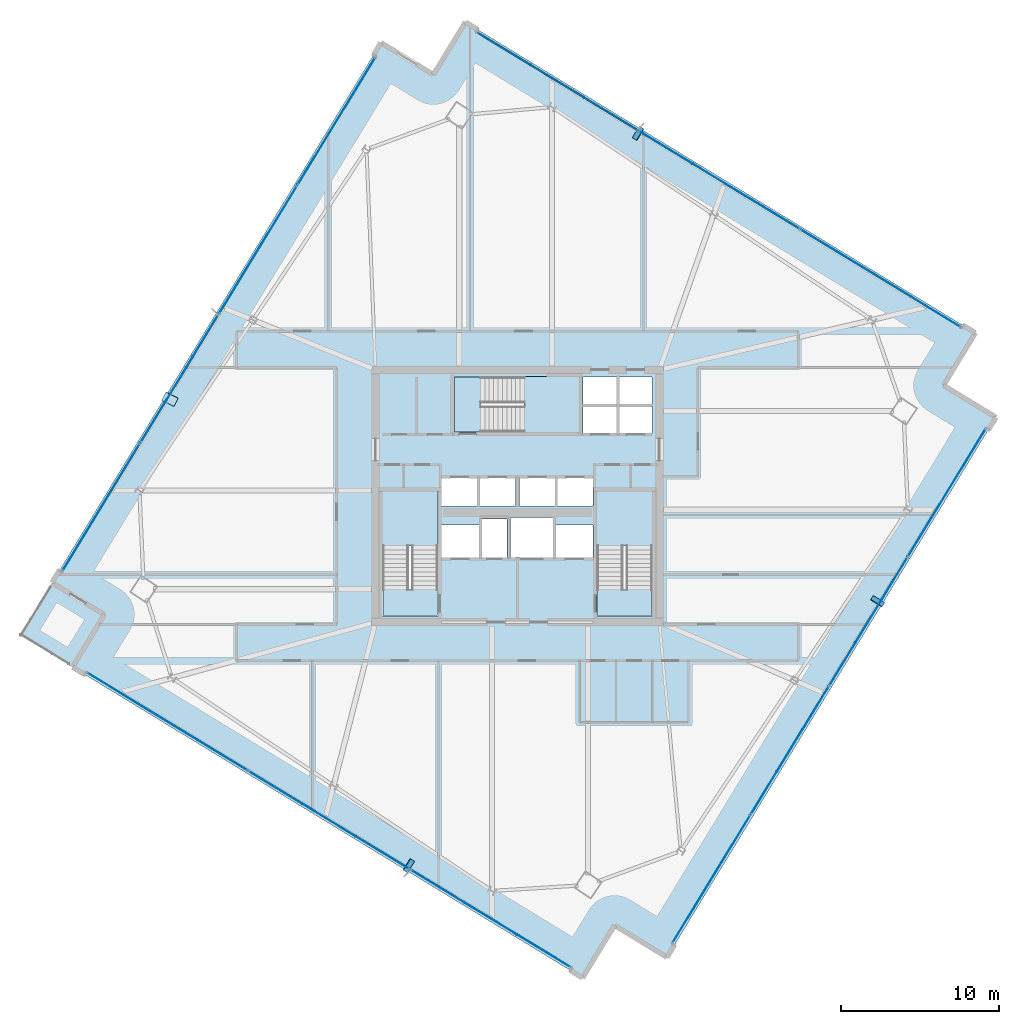
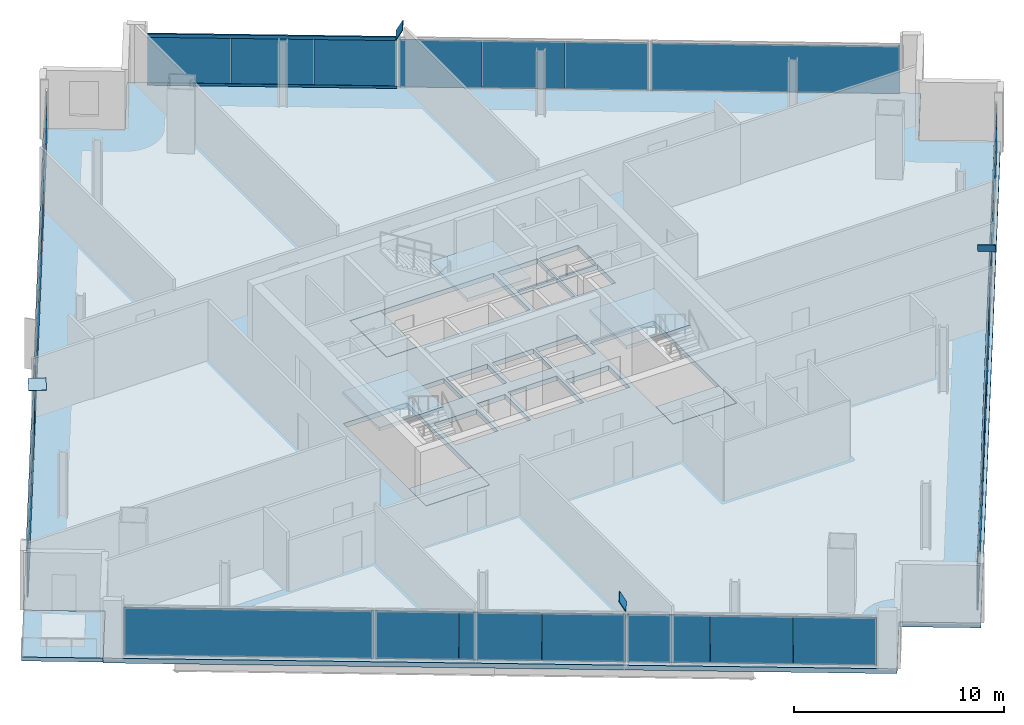
# One storey, part 20 of 28: 32 plates, 8 slabs, 2 members, 7 elements without a shape of their own.
"""IFC4 building model written with IfcOpenShell, lengths in metres."""

from ifc_helpers import new_model, si_unit, direction, frame, origin, origin_2d, place, context, subcontext, project, spatial, polyline, rectangle, hollow_rectangle, outline, extrude, source, transform, mapped, material, layer, layer_set, material_profile, profile_set, type_object, element, aggregate, save


model = new_model("IFC4")

# Units and contexts
model_context = context("Model", 3, precision=1e-05, world=origin(), true_north=direction((0.0, 1.0)))
body_context = subcontext(model_context, "Body", "Model", "MODEL_VIEW")
ifc_project = project(units=[si_unit("LENGTHUNIT", "METRE"), si_unit("AREAUNIT", "SQUARE_METRE"), si_unit("VOLUMEUNIT", "CUBIC_METRE"), si_unit("PLANEANGLEUNIT", "RADIAN"), si_unit("MASSUNIT", "GRAM", prefix="KILO")], contexts=[model_context])

# Site, building, storey
site_placement = place(None, origin())
site = spatial("IfcSite", under=ifc_project, at=site_placement, CompositionType="ELEMENT")
building_placement = place(site_placement, origin())
building = spatial("IfcBuilding", under=site, at=building_placement, Name="Haldenkirk Collegiate Tower", CompositionType="ELEMENT")
storey_placement = place(building_placement, frame((0.0, 0.0, 224.699951171875)))
storey = spatial("IfcBuildingStorey", under=building, at=storey_placement, Name="L56", CompositionType="ELEMENT", Elevation=224.699951171875)

# Curtain wall, members
ifc_material_1 = material(Name="Anodised architectural bronze aluminium", Category="aluminium")
curtain_wall_type_1 = type_object("IfcCurtainWallType", Name="CW-SYS1B-CONVEX-HI", PredefinedType="USERDEFINED", material=ifc_material_1)
curtain_wall_1_placement = place(storey_placement, origin())
curtain_wall_1 = element("IfcCurtainWall", 1, at=curtain_wall_1_placement, inside=storey, type_object=curtain_wall_type_1, Name="L56 Upper tower high-wind convex bronze unitised curtain wall", ObjectType="UNITISED CURTAIN WALL", PredefinedType="USERDEFINED")
ifc_material_profile = material_profile(ifc_material_1, hollow_rectangle(XDim=0.0849609375, YDim=0.199951171875, WallThickness=0.0048828125, at=origin_2d()), Name="CW-TRN-1B")
ifc_profile_set = profile_set([ifc_material_profile], Name="Anodised architectural bronze aluminium")
member_type = type_object("IfcMemberType", Name="CW-TRN-1B", PredefinedType="USERDEFINED", material=ifc_profile_set)
member_1_placement = place(storey_placement, frame((33.451416015625, 55.38623046875, 0.04248046875), z_axis=(0.854004333725, -0.520265891616, 0.0), x_axis=(0.520265891616, 0.854004333725, 0.0)))
member_1 = element("IfcMember", 2, at=member_1_placement, type_object=member_type, Name="CW-1B transom 1.1", ObjectType="TRANSOM", PredefinedType="USERDEFINED", context=body_context, shape_type="SweptSolid", body=[
    extrude(hollow_rectangle(XDim=0.0849609375, YDim=0.199951171875, WallThickness=0.0048828125, at=origin_2d()), origin(), (0.0, 0.0, 1.0), 11.897705078125),
])
member_2_placement = place(storey_placement, frame((33.451416015625, 55.38623046875, 2.885498046875), z_axis=(0.854004333725, -0.520265891616, 0.0), x_axis=(0.520265891616, 0.854004333725, 0.0)))
member_2 = element("IfcMember", 3, at=member_2_placement, type_object=member_type, Name="CW-1B transom 1.2", ObjectType="TRANSOM", PredefinedType="USERDEFINED", context=body_context, shape_type="SweptSolid", body=[
    extrude(hollow_rectangle(XDim=0.0849609375, YDim=0.199951171875, WallThickness=0.0048828125, at=origin_2d()), origin(), (0.0, 0.0, 1.0), 11.897705078125),
])

# Slab
ifc_material_2 = material(Name="Concrete f'c 40 MPa", Category="concrete")
ifc_layer_1 = layer(ifc_material_2, 0.280029296875)
ifc_layer_set_1 = layer_set([ifc_layer_1], Name="Concrete f'c 40 MPa")
slab_type_1 = type_object("IfcSlabType", Name="SLB-FLR-280", PredefinedType="FLOOR", material=ifc_layer_set_1)
slab_1_placement = place(storey_placement, frame((0.0, 0.0, -0.280029296875)))
element("IfcSlab", 4, at=slab_1_placement, inside=storey, type_object=slab_type_1, Name="L56 composite structural floor slab", PredefinedType="FLOOR", context=body_context, shape_type="SweptSolid", body=[
    extrude(outline(polyline([(45.48828125, -3.258056640625), (66.35107421875, 30.987548828125), (63.0205078125, 33.0166015625), (65.04931640625, 36.347412109375), (32.703857421875, 56.05224609375), (30.6748046875, 52.7216796875), (27.34423828125, 54.750732421875), (6.481689453125, 20.505126953125), (9.812255859375, 18.47607421875), (7.783203125, 15.1455078125), (40.128662109375, -4.5595703125), (42.15771484375, -1.22900390625), (45.48828125, -3.258056640625)]), holes=[polyline([(27.449951171875, 18.39990234375), (30.949951171875, 18.39990234375), (30.949951171875, 26.300048828125), (27.449951171875, 26.300048828125), (27.449951171875, 18.39990234375)]), polyline([(41.050048828125, 18.39990234375), (44.550048828125, 18.39990234375), (44.550048828125, 26.300048828125), (41.050048828125, 26.300048828125), (41.050048828125, 18.39990234375)]), polyline([(32.0, 30.050048828125), (39.89990234375, 30.050048828125), (39.89990234375, 33.550048828125), (32.0, 33.550048828125), (32.0, 30.050048828125)]), polyline([(33.75, 22.10009765625), (35.35009765625, 22.10009765625), (35.35009765625, 24.550048828125), (33.75, 24.550048828125), (33.75, 22.10009765625)]), polyline([(40.14990234375, 29.949951171875), (42.320068359375, 29.949951171875), (42.320068359375, 31.699951171875), (40.14990234375, 31.699951171875), (40.14990234375, 29.949951171875)]), polyline([(42.419921875, 29.949951171875), (44.550048828125, 29.949951171875), (44.550048828125, 31.699951171875), (42.419921875, 31.699951171875), (42.419921875, 29.949951171875)]), polyline([(40.14990234375, 31.800048828125), (42.320068359375, 31.800048828125), (42.320068359375, 33.550048828125), (40.14990234375, 33.550048828125), (40.14990234375, 31.800048828125)]), polyline([(42.419921875, 31.800048828125), (44.550048828125, 31.800048828125), (44.550048828125, 33.550048828125), (42.419921875, 33.550048828125), (42.419921875, 31.800048828125)]), polyline([(31.199951171875, 25.35009765625), (33.47998046875, 25.35009765625), (33.47998046875, 27.14990234375), (31.199951171875, 27.14990234375), (31.199951171875, 25.35009765625)]), polyline([(33.60009765625, 25.35009765625), (35.8798828125, 25.35009765625), (35.8798828125, 27.14990234375), (33.60009765625, 27.14990234375), (33.60009765625, 25.35009765625)]), polyline([(36.1201171875, 25.35009765625), (38.39990234375, 25.35009765625), (38.39990234375, 27.14990234375), (36.1201171875, 27.14990234375), (36.1201171875, 25.35009765625)]), polyline([(38.52001953125, 25.35009765625), (40.800048828125, 25.35009765625), (40.800048828125, 27.14990234375), (38.52001953125, 27.14990234375), (38.52001953125, 25.35009765625)]), polyline([(31.199951171875, 22.10009765625), (33.550048828125, 22.10009765625), (33.550048828125, 24.14990234375), (31.199951171875, 24.14990234375), (31.199951171875, 22.10009765625)]), polyline([(38.449951171875, 22.10009765625), (40.800048828125, 22.10009765625), (40.800048828125, 24.14990234375), (38.449951171875, 24.14990234375), (38.449951171875, 22.10009765625)]), polyline([(35.550048828125, 22.10009765625), (38.25, 22.10009765625), (38.25, 24.64990234375), (35.550048828125, 24.64990234375), (35.550048828125, 22.10009765625)])]), origin(), (0.0, 0.0, 1.0), 0.280029296875),
])

# Stair, slab
stair_type = type_object("IfcStairType", Name="STR-DOGLEG-1650", PredefinedType="HALF_TURN_STAIR", material=ifc_material_2)
stair_1_placement = place(storey_placement, origin())
stair_1 = element("IfcStair", 5, at=stair_1_placement, inside=storey, type_object=stair_type, Name="L56 Core Exit Stair ST-1", PredefinedType="HALF_TURN_STAIR")
ifc_layer_2 = layer(ifc_material_2, 0.199951171875)
ifc_layer_set_2 = layer_set([ifc_layer_2], Name="Concrete f'c 40 MPa")
slab_type_2 = type_object("IfcSlabType", Name="SLB-LANDING-200", PredefinedType="LANDING", material=ifc_layer_set_2)
slab_2_placement = place(storey_placement, frame((0.0, 0.0, 1.675048828125)))
slab_2 = element("IfcSlab", 6, at=slab_2_placement, type_object=slab_type_2, Name="ST-1 landing 1", PredefinedType="LANDING", context=body_context, shape_type="SweptSolid", body=[
    extrude(outline(polyline([(30.97509765625, 22.824951171875), (27.425048828125, 22.824951171875), (27.425048828125, 26.324951171875), (30.97509765625, 26.324951171875), (30.97509765625, 22.824951171875)])), origin(), (0.0, 0.0, 1.0), 0.199951171875),
])
aggregate(stair_1, [slab_2])

stair_2_placement = place(storey_placement, origin())
stair_2 = element("IfcStair", 7, at=stair_2_placement, inside=storey, type_object=stair_type, Name="L56 Core Exit Stair ST-2", PredefinedType="HALF_TURN_STAIR")
slab_3_placement = place(storey_placement, frame((0.0, 0.0, 1.675048828125)))
slab_3 = element("IfcSlab", 8, at=slab_3_placement, type_object=slab_type_2, Name="ST-2 landing 1", PredefinedType="LANDING", context=body_context, shape_type="SweptSolid", body=[
    extrude(outline(polyline([(44.574951171875, 22.824951171875), (41.02490234375, 22.824951171875), (41.02490234375, 26.324951171875), (44.574951171875, 26.324951171875), (44.574951171875, 22.824951171875)])), origin(), (0.0, 0.0, 1.0), 0.199951171875),
])
aggregate(stair_2, [slab_3])

stair_3_placement = place(storey_placement, origin())
stair_3 = element("IfcStair", 9, at=stair_3_placement, inside=storey, type_object=stair_type, Name="L56 Core Exit Stair ST-3", PredefinedType="HALF_TURN_STAIR")
slab_4_placement = place(storey_placement, frame((0.0, 0.0, 1.675048828125)))
slab_4 = element("IfcSlab", 10, at=slab_4_placement, type_object=slab_type_2, Name="ST-3 landing 1", PredefinedType="LANDING", context=body_context, shape_type="SweptSolid", body=[
    extrude(outline(polyline([(36.425048828125, 30.02490234375), (36.425048828125, 33.574951171875), (39.925048828125, 33.574951171875), (39.925048828125, 30.02490234375), (36.425048828125, 30.02490234375)])), origin(), (0.0, 0.0, 1.0), 0.199951171875),
])
aggregate(stair_3, [slab_4])

# Slabs
ifc_layer_3 = layer(ifc_material_2, 0.25)
ifc_layer_set_3 = layer_set([ifc_layer_3], Name="Concrete f'c 40 MPa")
slab_type_3 = type_object("IfcSlabType", Name="SLB-STAIRLAND-250", PredefinedType="LANDING", material=ifc_layer_set_3)
slab_5_placement = place(storey_placement, frame((0.0, 0.0, -0.25)))
element("IfcSlab", 11, at=slab_5_placement, inside=storey, type_object=slab_type_3, Name="L56 stair ST1 structural floor landing slab", PredefinedType="LANDING", context=body_context, shape_type="SweptSolid", body=[
    extrude(outline(polyline([(27.4599609375, 18.409912109375), (30.93994140625, 18.409912109375), (30.93994140625, 20.080078125), (27.4599609375, 20.080078125), (27.4599609375, 18.409912109375)])), origin(), (0.0, 0.0, 1.0), 0.25),
])
slab_6_placement = place(storey_placement, frame((0.0, 0.0, -0.25)))
element("IfcSlab", 12, at=slab_6_placement, inside=storey, type_object=slab_type_3, Name="L56 stair ST2 structural floor landing slab", PredefinedType="LANDING", context=body_context, shape_type="SweptSolid", body=[
    extrude(outline(polyline([(41.06005859375, 18.409912109375), (44.5400390625, 18.409912109375), (44.5400390625, 20.080078125), (41.06005859375, 20.080078125), (41.06005859375, 18.409912109375)])), origin(), (0.0, 0.0, 1.0), 0.25),
])
slab_7_placement = place(storey_placement, frame((0.0, 0.0, -0.25)))
element("IfcSlab", 13, at=slab_7_placement, inside=storey, type_object=slab_type_3, Name="L56 stair ST3 structural floor landing slab", PredefinedType="LANDING", context=body_context, shape_type="SweptSolid", body=[
    extrude(outline(polyline([(32.010009765625, 30.06005859375), (33.679931640625, 30.06005859375), (33.679931640625, 33.5400390625), (32.010009765625, 33.5400390625), (32.010009765625, 30.06005859375)])), origin(), (0.0, 0.0, 1.0), 0.25),
])
ifc_layer_4 = layer(ifc_material_2, 0.22998046875)
ifc_layer_set_4 = layer_set([ifc_layer_4], Name="Concrete f'c 40 MPa")
slab_type_4 = type_object("IfcSlabType", Name="SLB-TERR-SPIRAL-230", PredefinedType="FLOOR", material=ifc_layer_set_4)
slab_8_placement = place(storey_placement, frame((0.0, 0.0, -0.22998046875)))
element("IfcSlab", 14, at=slab_8_placement, inside=storey, type_object=slab_type_4, Name="L56 spiralling corner terrace slab", PredefinedType="FLOOR", context=body_context, shape_type="SweptSolid", body=[
    extrude(outline(polyline([(7.783203125, 15.1455078125), (9.812255859375, 18.47607421875), (6.481689453125, 20.505126953125), (4.45263671875, 17.174560546875), (7.783203125, 15.1455078125)])), origin(), (0.0, 0.0, 1.0), 0.22998046875),
])

# Plates
ifc_material_3 = material(Name="Steel ASTM A572 Grade 50", Category="steel")
ifc_layer_5 = layer(ifc_material_3, 0.034912109375)
ifc_layer_set_5 = layer_set([ifc_layer_5], Name="Steel ASTM A572 Grade 50")
plate_type_1 = type_object("IfcPlateType", Name="PLT-CAP-EXT-760X600", PredefinedType="USERDEFINED", material=ifc_layer_set_5)
shared_shape_1 = source(origin(), body_context, "Body", "SweptSolid", [
    extrude(rectangle(XDim=0.860107421875, YDim=0.659912109375, at=origin_2d()), origin(), (0.0, 0.0, 1.0), 0.034912109375),
])
for number, where, z_axis, x_axis, name in (
    (15, (58.83837890625, 19.3076171875, 3.458740234375), (0.475272913325, 0.754650862375, 0.452346917506), (-0.846170926163, 0.532911590901, -1.5562e-07), "Perimeter Mega Brace Z4 L54-L56 SL end cap plate 2"),
    (16, (43.6669921875, 48.994140625, 3.458740234375), (-0.745603153852, 0.460826095089, 0.481368099328), (-0.525745940129, -0.850641643959, 7.4831e-08), "Perimeter Mega Brace Z4 L54-L56 EL end cap plate 2"),
    (17, (13.968994140625, 32.141357421875, 3.45751953125), (-0.213056076869, -0.424219153054, 0.880139317546), (0.893628184058, -0.448808053244, -6.494e-08), "Perimeter Mega Brace Z4 L54-L56 NL end cap plate 2"),
    (18, (29.10107421875, 2.558837890625, 3.458740234375), (0.747162183256, -0.459184112624, 0.480519117857), (0.523594359665, 0.851967691011, 2.56542e-07), "Perimeter Mega Brace Z4 L54-L56 WL end cap plate 2"),
):
    element("IfcPlate", number, at=place(storey_placement, frame(where, z_axis=z_axis, x_axis=x_axis)), inside=storey, type_object=plate_type_1, Name=name, ObjectType="END CAP PLATE", PredefinedType="USERDEFINED", context=body_context, shape_type="MappedRepresentation", body=[
        mapped(shared_shape_1, transform((0.0, 0.0, 0.0), x_axis=(1.0, 0.0, 0.0), y_axis=(0.0, 1.0, 0.0), z_axis=(0.0, 0.0, 1.0), scale=1.0)),
    ])

# Curtain wall, plates
curtain_wall_type_2 = type_object("IfcCurtainWallType", Name="CW-SYS2-CONCAVE", PredefinedType="USERDEFINED", material=ifc_material_1)
curtain_wall_2_placement = place(storey_placement, origin())
curtain_wall_2 = element("IfcCurtainWall", 19, at=curtain_wall_2_placement, inside=storey, type_object=curtain_wall_type_2, Name="L56 South concave recessed bronze-anodised curtain wall", ObjectType="UNITISED CURTAIN WALL", PredefinedType="USERDEFINED")
ifc_material_4 = material(Name="Bronze-anodised insulated aluminium spandrel panel", Category="aluminium")
ifc_layer_6 = layer(ifc_material_4, 0.0419921875)
ifc_layer_set_6 = layer_set([ifc_layer_6], Name="Bronze-anodised insulated aluminium spandrel panel")
plate_type_2 = type_object("IfcPlateType", Name="CW-SPD-02", PredefinedType="CURTAIN_PANEL", material=ifc_layer_set_6)
shared_shape_2 = source(origin(), body_context, "Body", "SweptSolid", [
    extrude(rectangle(XDim=3.1416015625, YDim=0.0419921875, at=origin_2d()), origin(), (0.0, 0.0, 1.0), 2.778076171875),
])
plate_1_placement = place(storey_placement, frame((58.2568359375, 18.047119140625, 0.0751953125), z_axis=(0.0, 0.0, 1.0), x_axis=(-0.520265808345, -0.854004384454, 0.0)))
plate_1 = element("IfcPlate", 20, at=plate_1_placement, type_object=plate_type_2, Name="CW-02 spandrel panel 2.1b", PredefinedType="CURTAIN_PANEL", context=body_context, shape_type="MappedRepresentation", body=[
    mapped(shared_shape_2, transform((0.0, 0.0, 0.0), x_axis=(1.0, 0.0, 0.0), y_axis=(0.0, 1.0, 0.0), z_axis=(0.0, 0.0, 1.0), scale=1.0)),
])
ifc_material_5 = material(Name="Low-E argon triple insulating glass", Category="glass")
ifc_layer_7 = layer(ifc_material_5, 0.0419921875)
ifc_layer_set_7 = layer_set([ifc_layer_7], Name="Low-E argon triple insulating glass")
plate_type_3 = type_object("IfcPlateType", Name="CW-PNL-02", PredefinedType="CURTAIN_PANEL", material=ifc_layer_set_7)
plate_2_placement = place(storey_placement, frame((53.275146484375, 9.869873046875, 0.0751953125), z_axis=(0.0, 0.0, 1.0), x_axis=(-0.520265808345, -0.854004384454, 0.0)))
plate_2 = element("IfcPlate", 21, at=plate_2_placement, type_object=plate_type_3, Name="CW-02 panel 3.1b", PredefinedType="CURTAIN_PANEL", context=body_context, shape_type="MappedRepresentation", body=[
    mapped(shared_shape_2, transform((0.0, 0.0, 0.0), x_axis=(1.0, 0.0, 0.0), y_axis=(0.0, 1.0, 0.0), z_axis=(0.0, 0.0, 1.0), scale=1.0)),
])
shared_shape_3 = source(origin(), body_context, "Body", "SweptSolid", [
    extrude(rectangle(XDim=3.154296875, YDim=0.0419921875, at=origin_2d()), origin(), (0.0, 0.0, 1.0), 2.778076171875),
])
plate_3_placement = place(storey_placement, frame((59.907470703125, 20.756591796875, 0.0751953125), z_axis=(0.0, 0.0, 1.0), x_axis=(-0.520265808345, -0.854004384454, 0.0)))
plate_3 = element("IfcPlate", 22, at=plate_3_placement, type_object=plate_type_2, Name="CW-02 spandrel panel 2.1a", PredefinedType="CURTAIN_PANEL", context=body_context, shape_type="MappedRepresentation", body=[
    mapped(shared_shape_3, transform((0.0, 0.0, 0.0), x_axis=(1.0, 0.0, 0.0), y_axis=(0.0, 1.0, 0.0), z_axis=(0.0, 0.0, 1.0), scale=1.0)),
])
plate_4_placement = place(storey_placement, frame((56.60595703125, 15.33740234375, 0.0751953125), z_axis=(0.0, 0.0, 1.0), x_axis=(-0.520265808345, -0.854004384454, 0.0)))
plate_4 = element("IfcPlate", 23, at=plate_4_placement, type_object=plate_type_2, Name="CW-02 spandrel panel 2.1c", PredefinedType="CURTAIN_PANEL", context=body_context, shape_type="MappedRepresentation", body=[
    mapped(shared_shape_3, transform((0.0, 0.0, 0.0), x_axis=(1.0, 0.0, 0.0), y_axis=(0.0, 1.0, 0.0), z_axis=(0.0, 0.0, 1.0), scale=1.0)),
])
plate_5_placement = place(storey_placement, frame((54.926025390625, 12.57958984375, 0.0751953125), z_axis=(0.0, 0.0, 1.0), x_axis=(-0.520265808345, -0.854004384454, 0.0)))
plate_5 = element("IfcPlate", 24, at=plate_5_placement, type_object=plate_type_2, Name="CW-02 spandrel panel 3.1a", PredefinedType="CURTAIN_PANEL", context=body_context, shape_type="MappedRepresentation", body=[
    mapped(shared_shape_3, transform((0.0, 0.0, 0.0), x_axis=(1.0, 0.0, 0.0), y_axis=(0.0, 1.0, 0.0), z_axis=(0.0, 0.0, 1.0), scale=1.0)),
])
plate_6_placement = place(storey_placement, frame((51.62451171875, 7.16015625, 0.0751953125), z_axis=(0.0, 0.0, 1.0), x_axis=(-0.520265808345, -0.854004384454, 0.0)))
plate_6 = element("IfcPlate", 25, at=plate_6_placement, type_object=plate_type_3, Name="CW-02 panel 3.1c", PredefinedType="CURTAIN_PANEL", context=body_context, shape_type="MappedRepresentation", body=[
    mapped(shared_shape_3, transform((0.0, 0.0, 0.0), x_axis=(1.0, 0.0, 0.0), y_axis=(0.0, 1.0, 0.0), z_axis=(0.0, 0.0, 1.0), scale=1.0)),
])
shared_shape_4 = source(origin(), body_context, "Body", "SweptSolid", [
    extrude(rectangle(XDim=9.46240234375, YDim=0.0419921875, at=origin_2d()), origin(), (0.0, 0.0, 1.0), 2.778076171875),
])
plate_7_placement = place(storey_placement, frame((63.228515625, 26.2080078125, 0.0751953125), z_axis=(0.0, 0.0, 1.0), x_axis=(-0.520265808345, -0.854004384454, 0.0)))
plate_7 = element("IfcPlate", 26, at=plate_7_placement, type_object=plate_type_3, Name="CW-02 panel 1.1", PredefinedType="CURTAIN_PANEL", context=body_context, shape_type="MappedRepresentation", body=[
    mapped(shared_shape_4, transform((0.0, 0.0, 0.0), x_axis=(1.0, 0.0, 0.0), y_axis=(0.0, 1.0, 0.0), z_axis=(0.0, 0.0, 1.0), scale=1.0)),
])
plate_8_placement = place(storey_placement, frame((48.303466796875, 1.708740234375, 0.0751953125), z_axis=(0.0, 0.0, 1.0), x_axis=(-0.520265808345, -0.854004384454, 0.0)))
plate_8 = element("IfcPlate", 27, at=plate_8_placement, type_object=plate_type_3, Name="CW-02 panel 4.1", PredefinedType="CURTAIN_PANEL", context=body_context, shape_type="MappedRepresentation", body=[
    mapped(shared_shape_4, transform((0.0, 0.0, 0.0), x_axis=(1.0, 0.0, 0.0), y_axis=(0.0, 1.0, 0.0), z_axis=(0.0, 0.0, 1.0), scale=1.0)),
])
aggregate(curtain_wall_2, [plate_7, plate_3, plate_1, plate_4, plate_5, plate_2, plate_6, plate_8])

# Plate
ifc_layer_8 = layer(ifc_material_5, 0.048095703125)
ifc_layer_set_8 = layer_set([ifc_layer_8], Name="Low-E argon triple insulating glass")
plate_type_4 = type_object("IfcPlateType", Name="CW-PNL-1B", PredefinedType="CURTAIN_PANEL", material=ifc_layer_set_8)
shared_shape_5 = source(origin(), body_context, "Body", "SweptSolid", [
    extrude(rectangle(XDim=3.953369140625, YDim=0.048095703125, at=origin_2d()), origin(), (0.0, 0.0, 1.0), 2.758056640625),
])
plate_9_placement = place(storey_placement, frame((35.1396484375, 54.35791015625, 0.0849609375), z_axis=(0.0, 0.0, 1.0), x_axis=(0.854004938437, -0.520264898994, 0.0)))
plate_9 = element("IfcPlate", 28, at=plate_9_placement, type_object=plate_type_4, Name="CW-1B panel 1.1a", PredefinedType="CURTAIN_PANEL", context=body_context, shape_type="MappedRepresentation", body=[
    mapped(shared_shape_5, transform((0.0, 0.0, 0.0), x_axis=(1.0, 0.0, 0.0), y_axis=(0.0, 1.0, 0.0), z_axis=(0.0, 0.0, 1.0), scale=1.0)),
])

ifc_layer_9 = layer(ifc_material_4, 0.048095703125)
ifc_layer_set_9 = layer_set([ifc_layer_9], Name="Bronze-anodised insulated aluminium spandrel panel")
plate_type_5 = type_object("IfcPlateType", Name="CW-SPD-1B", PredefinedType="CURTAIN_PANEL", material=ifc_layer_set_9)
plate_10_placement = place(storey_placement, frame((41.924072265625, 50.224609375, 0.0849609375), z_axis=(0.0, 0.0, 1.0), x_axis=(0.854004938437, -0.520264898994, 0.0)))
plate_10 = element("IfcPlate", 29, at=plate_10_placement, type_object=plate_type_5, Name="CW-1B spandrel panel 1.1c", PredefinedType="CURTAIN_PANEL", context=body_context, shape_type="MappedRepresentation", body=[
    mapped(shared_shape_5, transform((0.0, 0.0, 0.0), x_axis=(1.0, 0.0, 0.0), y_axis=(0.0, 1.0, 0.0), z_axis=(0.0, 0.0, 1.0), scale=1.0)),
])

# Curtain wall, plates
curtain_wall_3_placement = place(storey_placement, origin())
curtain_wall_3 = element("IfcCurtainWall", 30, at=curtain_wall_3_placement, inside=storey, type_object=curtain_wall_type_1, Name="L56 Upper tower high-wind convex bronze unitised curtain wall", ObjectType="UNITISED CURTAIN WALL", PredefinedType="USERDEFINED")
plate_11_placement = place(storey_placement, frame((37.693115234375, -2.864990234375, 0.0849609375), z_axis=(0.0, 0.0, 1.0), x_axis=(-0.854002956493, 0.520268152303, 0.0)))
plate_11 = element("IfcPlate", 31, at=plate_11_placement, type_object=plate_type_4, Name="CW-1B panel 1.1a", PredefinedType="CURTAIN_PANEL", context=body_context, shape_type="MappedRepresentation", body=[
    mapped(shared_shape_5, transform((0.0, 0.0, 0.0), x_axis=(1.0, 0.0, 0.0), y_axis=(0.0, 1.0, 0.0), z_axis=(0.0, 0.0, 1.0), scale=1.0)),
])
plate_12_placement = place(storey_placement, frame((30.90869140625, 1.26806640625, 0.0849609375), z_axis=(0.0, 0.0, 1.0), x_axis=(-0.854002956493, 0.520268152303, 0.0)))
plate_12 = element("IfcPlate", 32, at=plate_12_placement, type_object=plate_type_5, Name="CW-1B spandrel panel 1.1c", PredefinedType="CURTAIN_PANEL", context=body_context, shape_type="MappedRepresentation", body=[
    mapped(shared_shape_5, transform((0.0, 0.0, 0.0), x_axis=(1.0, 0.0, 0.0), y_axis=(0.0, 1.0, 0.0), z_axis=(0.0, 0.0, 1.0), scale=1.0)),
])

# Plate
shared_shape_6 = source(origin(), body_context, "Body", "SweptSolid", [
    extrude(rectangle(XDim=3.94091796875, YDim=0.048095703125, at=origin_2d()), origin(), (0.0, 0.0, 1.0), 2.758056640625),
])
plate_13_placement = place(storey_placement, frame((38.53173828125, 52.291259765625, 0.0849609375), z_axis=(0.0, 0.0, 1.0), x_axis=(0.854004938437, -0.520264898994, 0.0)))
plate_13 = element("IfcPlate", 33, at=plate_13_placement, type_object=plate_type_4, Name="CW-1B panel 1.1b", PredefinedType="CURTAIN_PANEL", context=body_context, shape_type="MappedRepresentation", body=[
    mapped(shared_shape_6, transform((0.0, 0.0, 0.0), x_axis=(1.0, 0.0, 0.0), y_axis=(0.0, 1.0, 0.0), z_axis=(0.0, 0.0, 1.0), scale=1.0)),
])

plate_14_placement = place(storey_placement, frame((34.30078125, -0.798583984375, 0.0849609375), z_axis=(0.0, 0.0, 1.0), x_axis=(-0.854002956493, 0.520268152303, 0.0)))
plate_14 = element("IfcPlate", 34, at=plate_14_placement, type_object=plate_type_4, Name="CW-1B panel 1.1b", PredefinedType="CURTAIN_PANEL", context=body_context, shape_type="MappedRepresentation", body=[
    mapped(shared_shape_6, transform((0.0, 0.0, 0.0), x_axis=(1.0, 0.0, 0.0), y_axis=(0.0, 1.0, 0.0), z_axis=(0.0, 0.0, 1.0), scale=1.0)),
])

shared_shape_7 = source(origin(), body_context, "Body", "SweptSolid", [
    extrude(rectangle(XDim=3.967529296875, YDim=0.048095703125, at=origin_2d()), origin(), (0.0, 0.0, 1.0), 2.758056640625),
])
plate_15_placement = place(storey_placement, frame((45.37890625, 48.1201171875, 0.0849609375), z_axis=(0.0, 0.0, 1.0), x_axis=(0.854004938437, -0.520264898994, 0.0)))
plate_15 = element("IfcPlate", 35, at=plate_15_placement, type_object=plate_type_5, Name="CW-1B spandrel panel 2.1a", PredefinedType="CURTAIN_PANEL", context=body_context, shape_type="MappedRepresentation", body=[
    mapped(shared_shape_7, transform((0.0, 0.0, 0.0), x_axis=(1.0, 0.0, 0.0), y_axis=(0.0, 1.0, 0.0), z_axis=(0.0, 0.0, 1.0), scale=1.0)),
])

plate_16_placement = place(storey_placement, frame((52.187255859375, 43.97216796875, 0.0849609375), z_axis=(0.0, 0.0, 1.0), x_axis=(0.854004938437, -0.520264898994, 0.0)))
plate_16 = element("IfcPlate", 36, at=plate_16_placement, type_object=plate_type_4, Name="CW-1B panel 2.1c", PredefinedType="CURTAIN_PANEL", context=body_context, shape_type="MappedRepresentation", body=[
    mapped(shared_shape_7, transform((0.0, 0.0, 0.0), x_axis=(1.0, 0.0, 0.0), y_axis=(0.0, 1.0, 0.0), z_axis=(0.0, 0.0, 1.0), scale=1.0)),
])

plate_17_placement = place(storey_placement, frame((27.453857421875, 3.372802734375, 0.0849609375), z_axis=(0.0, 0.0, 1.0), x_axis=(-0.854002956493, 0.520268152303, 0.0)))
plate_17 = element("IfcPlate", 37, at=plate_17_placement, type_object=plate_type_5, Name="CW-1B spandrel panel 2.1a", PredefinedType="CURTAIN_PANEL", context=body_context, shape_type="MappedRepresentation", body=[
    mapped(shared_shape_7, transform((0.0, 0.0, 0.0), x_axis=(1.0, 0.0, 0.0), y_axis=(0.0, 1.0, 0.0), z_axis=(0.0, 0.0, 1.0), scale=1.0)),
])

plate_18_placement = place(storey_placement, frame((20.645263671875, 7.5205078125, 0.0849609375), z_axis=(0.0, 0.0, 1.0), x_axis=(-0.854002956493, 0.520268152303, 0.0)))
plate_18 = element("IfcPlate", 38, at=plate_18_placement, type_object=plate_type_4, Name="CW-1B panel 2.1c", PredefinedType="CURTAIN_PANEL", context=body_context, shape_type="MappedRepresentation", body=[
    mapped(shared_shape_7, transform((0.0, 0.0, 0.0), x_axis=(1.0, 0.0, 0.0), y_axis=(0.0, 1.0, 0.0), z_axis=(0.0, 0.0, 1.0), scale=1.0)),
])

shared_shape_8 = source(origin(), body_context, "Body", "SweptSolid", [
    extrude(rectangle(XDim=3.955078125, YDim=0.048095703125, at=origin_2d()), origin(), (0.0, 0.0, 1.0), 2.758056640625),
])
plate_19_placement = place(storey_placement, frame((48.782958984375, 46.046142578125, 0.0849609375), z_axis=(0.0, 0.0, 1.0), x_axis=(0.854004938437, -0.520264898994, 0.0)))
plate_19 = element("IfcPlate", 39, at=plate_19_placement, type_object=plate_type_5, Name="CW-1B spandrel panel 2.1b", PredefinedType="CURTAIN_PANEL", context=body_context, shape_type="MappedRepresentation", body=[
    mapped(shared_shape_8, transform((0.0, 0.0, 0.0), x_axis=(1.0, 0.0, 0.0), y_axis=(0.0, 1.0, 0.0), z_axis=(0.0, 0.0, 1.0), scale=1.0)),
])

plate_20_placement = place(storey_placement, frame((24.049560546875, 5.446533203125, 0.0849609375), z_axis=(0.0, 0.0, 1.0), x_axis=(-0.854002956493, 0.520268152303, 0.0)))
plate_20 = element("IfcPlate", 40, at=plate_20_placement, type_object=plate_type_5, Name="CW-1B spandrel panel 2.1b", PredefinedType="CURTAIN_PANEL", context=body_context, shape_type="MappedRepresentation", body=[
    mapped(shared_shape_8, transform((0.0, 0.0, 0.0), x_axis=(1.0, 0.0, 0.0), y_axis=(0.0, 1.0, 0.0), z_axis=(0.0, 0.0, 1.0), scale=1.0)),
])

# Curtain wall, plates
curtain_wall_4_placement = place(storey_placement, origin())
curtain_wall_4 = element("IfcCurtainWall", 41, at=curtain_wall_4_placement, inside=storey, type_object=curtain_wall_type_1, Name="L56 Upper tower high-wind convex bronze unitised curtain wall", ObjectType="UNITISED CURTAIN WALL", PredefinedType="USERDEFINED")
shared_shape_9 = source(origin(), body_context, "Body", "SweptSolid", [
    extrude(rectangle(XDim=3.15087890625, YDim=0.048095703125, at=origin_2d()), origin(), (0.0, 0.0, 1.0), 2.758056640625),
])
plate_21_placement = place(storey_placement, frame((12.927001953125, 30.739013671875, 0.0849609375), z_axis=(0.0, 0.0, 1.0), x_axis=(0.520265808345, 0.854004384454, 0.0)))
plate_21 = element("IfcPlate", 42, at=plate_21_placement, type_object=plate_type_5, Name="CW-1B spandrel panel 2.1a", PredefinedType="CURTAIN_PANEL", context=body_context, shape_type="MappedRepresentation", body=[
    mapped(shared_shape_9, transform((0.0, 0.0, 0.0), x_axis=(1.0, 0.0, 0.0), y_axis=(0.0, 1.0, 0.0), z_axis=(0.0, 0.0, 1.0), scale=1.0)),
])
plate_22_placement = place(storey_placement, frame((16.22509765625, 36.152587890625, 0.0849609375), z_axis=(0.0, 0.0, 1.0), x_axis=(0.520265808345, 0.854004384454, 0.0)))
plate_22 = element("IfcPlate", 43, at=plate_22_placement, type_object=plate_type_4, Name="CW-1B panel 2.1c", PredefinedType="CURTAIN_PANEL", context=body_context, shape_type="MappedRepresentation", body=[
    mapped(shared_shape_9, transform((0.0, 0.0, 0.0), x_axis=(1.0, 0.0, 0.0), y_axis=(0.0, 1.0, 0.0), z_axis=(0.0, 0.0, 1.0), scale=1.0)),
])
shared_shape_10 = source(origin(), body_context, "Body", "SweptSolid", [
    extrude(rectangle(XDim=3.13818359375, YDim=0.048095703125, at=origin_2d()), origin(), (0.0, 0.0, 1.0), 2.758056640625),
])
plate_23_placement = place(storey_placement, frame((14.575927734375, 33.44580078125, 0.0849609375), z_axis=(0.0, 0.0, 1.0), x_axis=(0.520265808345, 0.854004384454, 0.0)))
plate_23 = element("IfcPlate", 44, at=plate_23_placement, type_object=plate_type_5, Name="CW-1B spandrel panel 2.1b", PredefinedType="CURTAIN_PANEL", context=body_context, shape_type="MappedRepresentation", body=[
    mapped(shared_shape_10, transform((0.0, 0.0, 0.0), x_axis=(1.0, 0.0, 0.0), y_axis=(0.0, 1.0, 0.0), z_axis=(0.0, 0.0, 1.0), scale=1.0)),
])
shared_shape_11 = source(origin(), body_context, "Body", "SweptSolid", [
    extrude(rectangle(XDim=9.489990234375, YDim=0.048095703125, at=origin_2d()), origin(), (0.0, 0.0, 1.0), 2.758056640625),
])
plate_24_placement = place(storey_placement, frame((19.557373046875, 41.622802734375, 0.0849609375), z_axis=(0.0, 0.0, 1.0), x_axis=(0.520265808345, 0.854004384454, 0.0)))
plate_24 = element("IfcPlate", 45, at=plate_24_placement, type_object=plate_type_4, Name="CW-1B panel 3.1", PredefinedType="CURTAIN_PANEL", context=body_context, shape_type="MappedRepresentation", body=[
    mapped(shared_shape_11, transform((0.0, 0.0, 0.0), x_axis=(1.0, 0.0, 0.0), y_axis=(0.0, 1.0, 0.0), z_axis=(0.0, 0.0, 1.0), scale=1.0)),
])
shared_shape_12 = source(origin(), body_context, "Body", "SweptSolid", [
    extrude(rectangle(XDim=9.447509765625, YDim=0.048095703125, at=origin_2d()), origin(), (0.0, 0.0, 1.0), 2.758056640625),
])
plate_25_placement = place(storey_placement, frame((9.60546875, 25.286865234375, 0.0849609375), z_axis=(0.0, 0.0, 1.0), x_axis=(0.520265808345, 0.854004384454, 0.0)))
plate_25 = element("IfcPlate", 46, at=plate_25_placement, type_object=plate_type_4, Name="CW-1B panel 1.1", PredefinedType="CURTAIN_PANEL", context=body_context, shape_type="MappedRepresentation", body=[
    mapped(shared_shape_12, transform((0.0, 0.0, 0.0), x_axis=(1.0, 0.0, 0.0), y_axis=(0.0, 1.0, 0.0), z_axis=(0.0, 0.0, 1.0), scale=1.0)),
])
plate_26_placement = place(storey_placement, frame((24.528076171875, 49.78173828125, 0.0849609375), z_axis=(0.0, 0.0, 1.0), x_axis=(0.520265808345, 0.854004384454, 0.0)))
plate_26 = element("IfcPlate", 47, at=plate_26_placement, type_object=plate_type_4, Name="CW-1B panel 4.1", PredefinedType="CURTAIN_PANEL", context=body_context, shape_type="MappedRepresentation", body=[
    mapped(shared_shape_12, transform((0.0, 0.0, 0.0), x_axis=(1.0, 0.0, 0.0), y_axis=(0.0, 1.0, 0.0), z_axis=(0.0, 0.0, 1.0), scale=1.0)),
])
aggregate(curtain_wall_4, [plate_25, plate_21, plate_23, plate_22, plate_24, plate_26])

# Plate
shared_shape_13 = source(origin(), body_context, "Body", "SweptSolid", [
    extrude(rectangle(XDim=11.8974609375, YDim=0.048095703125, at=origin_2d()), origin(), (0.0, 0.0, 1.0), 2.758056640625),
])
plate_27_placement = place(storey_placement, frame((59.034423828125, 39.801025390625, 0.0849609375), z_axis=(0.0, 0.0, 1.0), x_axis=(0.854004938437, -0.520264898994, 0.0)))
plate_27 = element("IfcPlate", 48, at=plate_27_placement, type_object=plate_type_4, Name="CW-1B panel 3.1", PredefinedType="CURTAIN_PANEL", context=body_context, shape_type="MappedRepresentation", body=[
    mapped(shared_shape_13, transform((0.0, 0.0, 0.0), x_axis=(1.0, 0.0, 0.0), y_axis=(0.0, 1.0, 0.0), z_axis=(0.0, 0.0, 1.0), scale=1.0)),
])

aggregate(curtain_wall_1, [member_1, member_2, plate_9, plate_13, plate_10, plate_15, plate_19, plate_16, plate_27])

plate_28_placement = place(storey_placement, frame((13.79833984375, 11.69189453125, 0.0849609375), z_axis=(0.0, 0.0, 1.0), x_axis=(-0.854002956493, 0.520268152303, 0.0)))
plate_28 = element("IfcPlate", 49, at=plate_28_placement, type_object=plate_type_4, Name="CW-1B panel 3.1", PredefinedType="CURTAIN_PANEL", context=body_context, shape_type="MappedRepresentation", body=[
    mapped(shared_shape_13, transform((0.0, 0.0, 0.0), x_axis=(1.0, 0.0, 0.0), y_axis=(0.0, 1.0, 0.0), z_axis=(0.0, 0.0, 1.0), scale=1.0)),
])

aggregate(curtain_wall_3, [plate_11, plate_14, plate_12, plate_17, plate_20, plate_18, plate_28])

save(model, "model.ifc")
